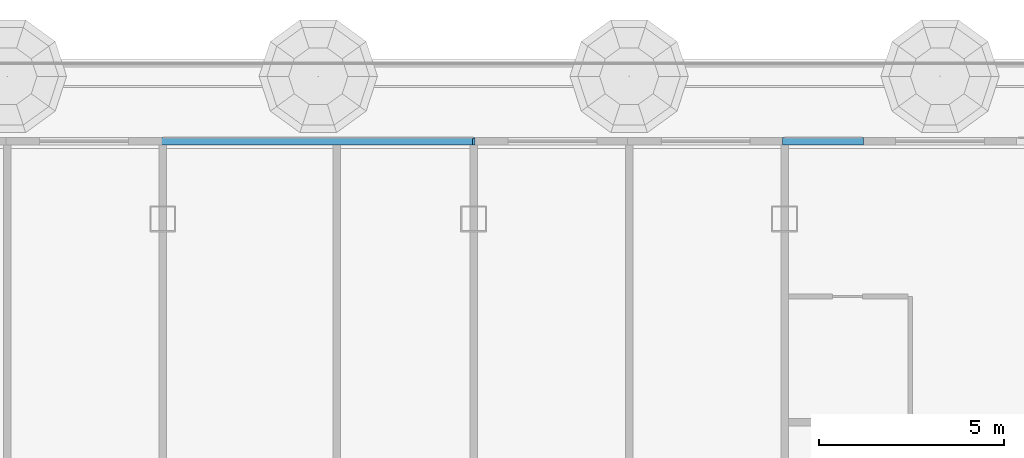
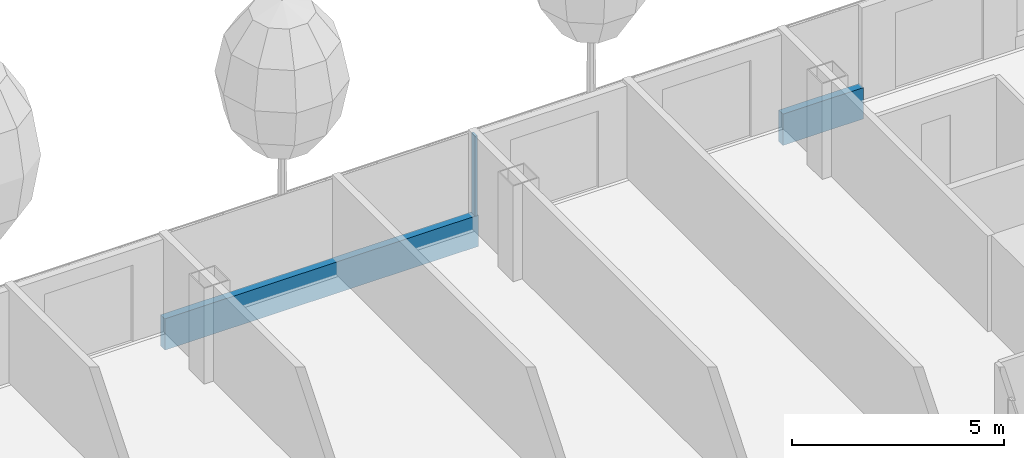
# One storey, part 6 of 30: 3 members, 1 element without a shape of its own.
"""IFC4 building model written with IfcOpenShell, lengths in metres."""

from ifc_helpers import new_model, si_unit, direction, frame, origin, origin_2d, place, context, subcontext, project, spatial, rectangle, extrude, material, layer, layer_set, material_profile, profile_set, type_object, element, aggregate, save


model = new_model("IFC4")

# Units and contexts
model_context = context("Model", 3, precision=1e-05, world=origin(), true_north=direction((0.0, 1.0)))
body_context = subcontext(model_context, "Body", "Model", "MODEL_VIEW")
ifc_project = project(units=[si_unit("LENGTHUNIT", "METRE"), si_unit("AREAUNIT", "SQUARE_METRE"), si_unit("VOLUMEUNIT", "CUBIC_METRE"), si_unit("PLANEANGLEUNIT", "RADIAN"), si_unit("MASSUNIT", "GRAM", prefix="KILO")], contexts=[model_context])

# Site, building, storey
site_placement = place(None, origin())
site = spatial("IfcSite", under=ifc_project, at=site_placement, CompositionType="ELEMENT")
building_placement = place(site_placement, origin())
building = spatial("IfcBuilding", under=site, at=building_placement, Name="Hakoniwa Tower and Hamabe Station Hall", CompositionType="ELEMENT")
storey_placement = place(building_placement, frame((0.0, 0.0, 137.39990234375)))
storey = spatial("IfcBuildingStorey", under=building, at=storey_placement, Name="L38", CompositionType="ELEMENT", Elevation=137.39990234375)

# Curtain wall, members
ifc_material_1 = material(Name="Dark low-e laminated glass", Category="glass")
ifc_layer = layer(ifc_material_1, 0.199951171875)
ifc_layer_set = layer_set([ifc_layer], Name="CW-1 UNITISED GUEST")
curtain_wall_type = type_object("IfcCurtainWallType", Name="CW-1 UNITISED GUEST", PredefinedType="NOTDEFINED", material=ifc_layer_set)
curtain_wall_placement = place(storey_placement, origin())
curtain_wall = element("IfcCurtainWall", 1, at=curtain_wall_placement, inside=storey, type_object=curtain_wall_type, Name="CW-1 curtain wall", PredefinedType="NOTDEFINED")
ifc_material_2 = material(Name="Aluminium 6063-T5 black anodised", Category="aluminium")
ifc_material_profile_1 = material_profile(ifc_material_2, rectangle(XDim=0.199951171875, YDim=0.89990234375, at=origin_2d()), Name="CW SLAB-EDGE BAND 900X200")
ifc_profile_set_1 = profile_set([ifc_material_profile_1], Name="Aluminium 6063-T5 black anodised")
member_type_1 = type_object("IfcMemberType", Name="CW SLAB-EDGE BAND 900X200", PredefinedType="USERDEFINED", material=ifc_profile_set_1)
member_1_placement = place(storey_placement, frame((18.929931640625, 18.199951171875, -0.099853515625), z_axis=(-1.0, 0.0, 0.0), x_axis=(0.0, -1.0, 0.0)))
member_1 = element("IfcMember", 2, at=member_1_placement, type_object=member_type_1, Name="CW-1 transom", ObjectType="TRANSOM", PredefinedType="USERDEFINED", context=body_context, shape_type="SweptSolid", body=[
    extrude(rectangle(XDim=0.199951171875, YDim=0.89990234375, at=origin_2d()), origin(), (0.0, 0.0, 1.0), 2.18994140625),
])
member_2_placement = place(storey_placement, frame((8.4599609375, 18.199951171875, -0.099853515625), z_axis=(-1.0, 0.0, 0.0), x_axis=(0.0, -1.0, 0.0)))
member_2 = element("IfcMember", 3, at=member_2_placement, type_object=member_type_1, Name="CW-1 transom", ObjectType="TRANSOM", PredefinedType="USERDEFINED", context=body_context, shape_type="SweptSolid", body=[
    extrude(rectangle(XDim=0.199951171875, YDim=0.89990234375, at=origin_2d()), origin(), (0.0, 0.0, 1.0), 8.52001953125),
])
ifc_material_3 = material(Name="Aluminium 6063-T5 black anodised", Category="aluminium")
ifc_material_profile_2 = material_profile(ifc_material_3, rectangle(XDim=0.06005859375, YDim=0.179931640625, at=origin_2d()), Name="CW-1 MULLION 60X180")
ifc_profile_set_2 = profile_set([ifc_material_profile_2], Name="Aluminium 6063-T5 black anodised")
member_type_2 = type_object("IfcMemberType", Name="CW-1 MULLION 60X180", PredefinedType="MULLION", material=ifc_profile_set_2)
member_3_placement = place(storey_placement, frame((8.39990234375, 18.181884765625, 0.35009765625), z_axis=(0.0, 0.0, 1.0), x_axis=(-1.0, 0.0, 0.0)))
member_3 = element("IfcMember", 4, at=member_3_placement, type_object=member_type_2, Name="CW-1 mullion", PredefinedType="MULLION", context=body_context, shape_type="SweptSolid", body=[
    extrude(rectangle(XDim=0.06005859375, YDim=0.179931640625, at=origin_2d()), origin(), (0.0, 0.0, 1.0), 2.300048828125),
])
aggregate(curtain_wall, [member_3, member_1, member_2])

save(model, "model.ifc")
